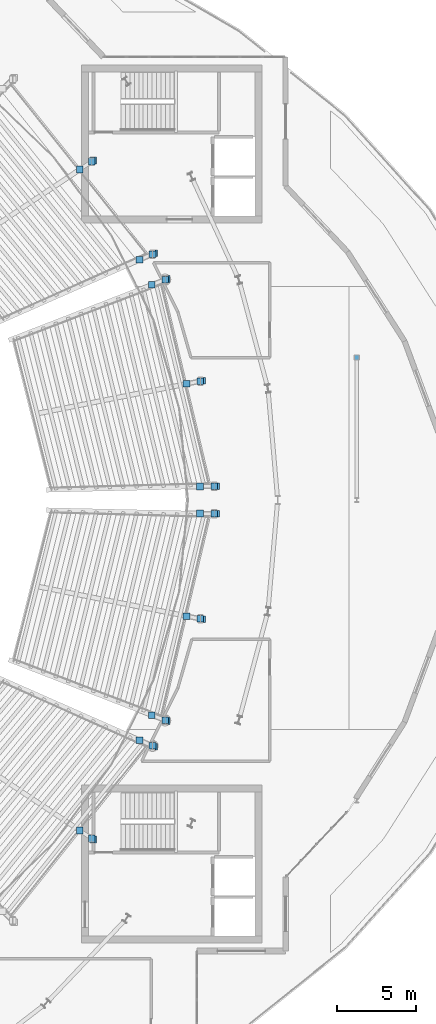
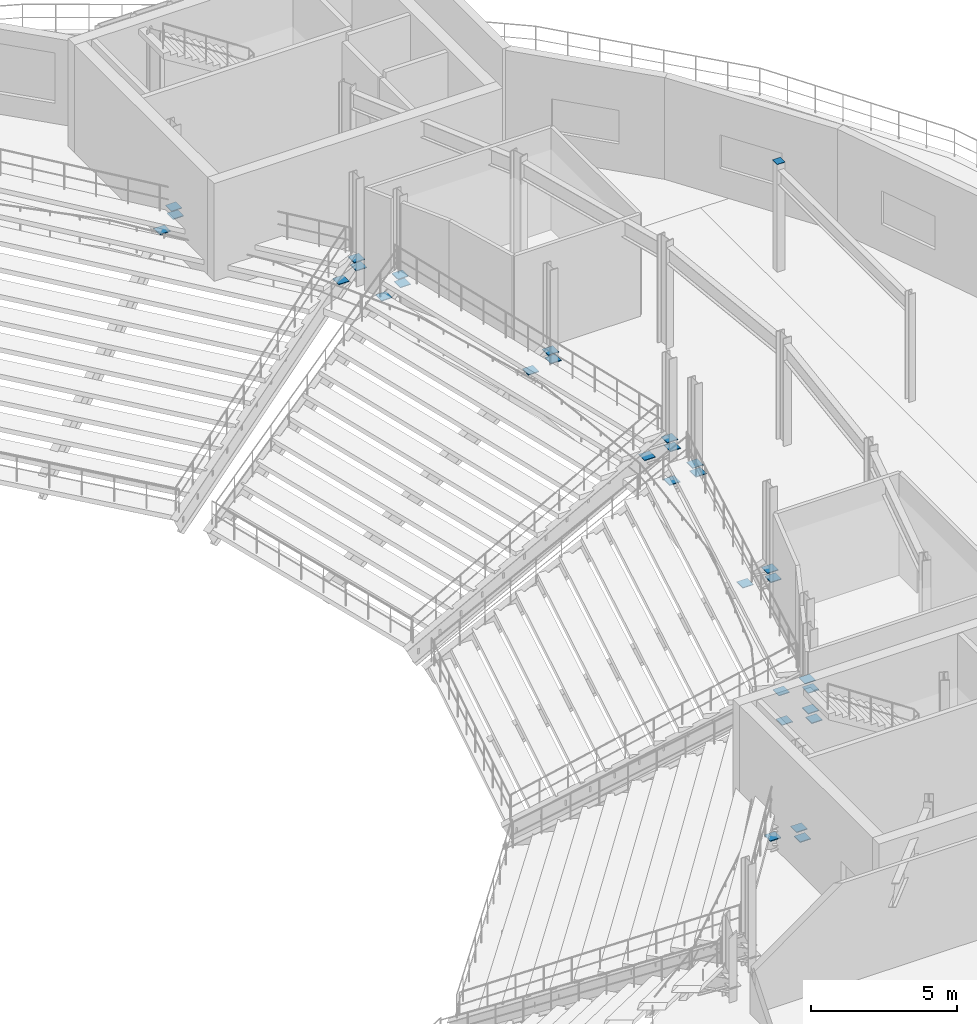
# One storey, part 70 of 81: 31 discrete accessories.
"""IFC4 building model written with IfcOpenShell, lengths in metres."""

from ifc_helpers import new_model, si_unit, direction, frame, origin, origin_2d, place, context, subcontext, project, spatial, rectangle, extrude, material, type_object, element, save


model = new_model("IFC4")

# Units and contexts
model_context = context("Model", 3, precision=1e-05, world=origin(), true_north=direction((0.0, 1.0)))
body_context = subcontext(model_context, "Body", "Model", "MODEL_VIEW")
ifc_project = project(units=[si_unit("LENGTHUNIT", "METRE"), si_unit("AREAUNIT", "SQUARE_METRE"), si_unit("VOLUMEUNIT", "CUBIC_METRE"), si_unit("PLANEANGLEUNIT", "RADIAN"), si_unit("MASSUNIT", "GRAM", prefix="KILO")], contexts=[model_context])

# Site, building, storey
site_placement = place(None, origin())
site = spatial("IfcSite", under=ifc_project, at=site_placement, CompositionType="ELEMENT")
building_placement = place(site_placement, origin())
building = spatial("IfcBuilding", under=site, at=building_placement, Name="Glasvene Arena", CompositionType="ELEMENT")
storey_placement = place(building_placement, frame((0.0, 0.0, 15.0)))
storey = spatial("IfcBuildingStorey", under=building, at=storey_placement, Name="L03", CompositionType="ELEMENT", Elevation=15.0)

# Discrete accessories
ifc_material = material(Name="Steel S355J2", Category="steel")
discrete_accessory_type_1 = type_object("IfcDiscreteAccessoryType", Name="ACC-BRACE-GP20", PredefinedType="BRACKET", material=ifc_material)
for number, where, z_axis, x_axis, name in (
    (1, (137.98828125, 73.87353515625, 0.994140625), (0.0, 0.0, 1.0), (1.0, 0.0, 0.0), "Cast-in raker and haunch embed plate 01-1-1"),
    (2, (137.08837890625, 73.85302734375, 0.5888671875), (0.0, 0.0, 1.0), (1.0, 0.0, 0.0), "Cast-in raker and haunch embed plate 01-1-2"),
    (3, (138.108154296875, 73.876220703125, 0.5888671875), (0.0, 0.0, 1.0), (1.0, 0.0, 0.0), "Cast-in raker and haunch embed plate 01-1-3"),
    (4, (137.1162109375, 80.510986328125, 0.93408203125), (0.0, 0.0, 1.0), (1.0, 0.0, 0.0), "Cast-in raker and haunch embed plate 01-2-1"),
    (5, (136.2333984375, 80.33544921875, 0.52880859375), (0.0, 0.0, 1.0), (1.0, 0.0, 0.0), "Cast-in raker and haunch embed plate 01-2-2"),
    (6, (137.23388671875, 80.534423828125, 0.52880859375), (0.0, 0.0, 1.0), (1.0, 0.0, 0.0), "Cast-in raker and haunch embed plate 01-2-3"),
    (7, (134.886962890625, 86.922607421875, 0.994140625), (0.0, 0.0, 1.0), (1.0, 0.0, 0.0), "Cast-in raker and haunch embed plate 01-3-1"),
    (8, (134.0478515625, 86.596923828125, 0.5888671875), (0.0, 0.0, 1.0), (1.0, 0.0, 0.0), "Cast-in raker and haunch embed plate 01-3-2"),
    (9, (134.998779296875, 86.9658203125, 0.5888671875), (0.0, 0.0, 1.0), (1.0, 0.0, 0.0), "Cast-in raker and haunch embed plate 01-3-3"),
    (10, (134.088134765625, 88.53662109375, 0.994140625), (0.0, 0.0, 1.0), (1.0, 0.0, 0.0), "Cast-in raker and haunch embed plate 02-1-1"),
    (11, (133.2646484375, 88.17333984375, 0.5888671875), (0.0, 0.0, 1.0), (1.0, 0.0, 0.0), "Cast-in raker and haunch embed plate 02-1-2"),
    (12, (134.197998046875, 88.5849609375, 0.5888671875), (0.0, 0.0, 1.0), (1.0, 0.0, 0.0), "Cast-in raker and haunch embed plate 02-1-3"),
    (13, (130.24755859375, 94.389404296875, 0.93408203125), (0.0, 0.0, 1.0), (1.0, 0.0, 0.0), "Cast-in raker and haunch embed plate 02-2-1"),
    (14, (129.499267578125, 93.889404296875, 0.52880859375), (0.0, 0.0, 1.0), (1.0, 0.0, 0.0), "Cast-in raker and haunch embed plate 02-2-2"),
    (15, (130.347412109375, 94.456298828125, 0.52880859375), (0.0, 0.0, 1.0), (1.0, 0.0, 0.0), "Cast-in raker and haunch embed plate 02-2-3"),
    (16, (130.24755859375, 51.610595703125, 0.93408203125), (0.0, 0.0, 1.0), (1.0, 0.0, 0.0), "Cast-in raker and haunch embed plate 15-2-1"),
    (17, (129.499267578125, 52.110595703125, 0.52880859375), (0.0, 0.0, 1.0), (1.0, 0.0, 0.0), "Cast-in raker and haunch embed plate 15-2-2"),
    (18, (130.347412109375, 51.543701171875, 0.52880859375), (0.0, 0.0, 1.0), (1.0, 0.0, 0.0), "Cast-in raker and haunch embed plate 15-2-3"),
    (19, (134.088134765625, 57.46337890625, 0.994140625), (0.0, 0.0, 1.0), (1.0, 0.0, 0.0), "Cast-in raker and haunch embed plate 15-3-1"),
    (20, (133.2646484375, 57.82666015625, 0.5888671875), (0.0, 0.0, 1.0), (1.0, 0.0, 0.0), "Cast-in raker and haunch embed plate 15-3-2"),
    (21, (134.197998046875, 57.4150390625, 0.5888671875), (0.0, 0.0, 1.0), (1.0, 0.0, 0.0), "Cast-in raker and haunch embed plate 15-3-3"),
    (22, (134.886962890625, 59.077392578125, 0.994140625), (0.0, 0.0, 1.0), (1.0, 0.0, 0.0), "Cast-in raker and haunch embed plate 16-1-1"),
    (23, (134.0478515625, 59.403076171875, 0.5888671875), (0.0, 0.0, 1.0), (1.0, 0.0, 0.0), "Cast-in raker and haunch embed plate 16-1-2"),
    (24, (134.998779296875, 59.0341796875, 0.5888671875), (0.0, 0.0, 1.0), (1.0, 0.0, 0.0), "Cast-in raker and haunch embed plate 16-1-3"),
    (25, (137.1162109375, 65.489013671875, 0.93408203125), (0.0, 0.0, 1.0), (1.0, 0.0, 0.0), "Cast-in raker and haunch embed plate 16-2-1"),
    (26, (136.2333984375, 65.66455078125, 0.52880859375), (0.0, 0.0, 1.0), (1.0, 0.0, 0.0), "Cast-in raker and haunch embed plate 16-2-2"),
    (27, (137.23388671875, 65.465576171875, 0.52880859375), (0.0, 0.0, 1.0), (1.0, 0.0, 0.0), "Cast-in raker and haunch embed plate 16-2-3"),
    (28, (137.98828125, 72.12646484375, 0.994140625), (0.0, 0.0, 1.0), (1.0, 0.0, 0.0), "Cast-in raker and haunch embed plate 16-3-1"),
    (29, (137.08837890625, 72.14697265625, 0.5888671875), (0.0, 0.0, 1.0), (1.0, 0.0, 0.0), "Cast-in raker and haunch embed plate 16-3-2"),
    (30, (138.108154296875, 72.123779296875, 0.5888671875), (0.0, 0.0, 1.0), (1.0, 0.0, 0.0), "Cast-in raker and haunch embed plate 16-3-3"),
):
    element("IfcDiscreteAccessory", number, at=place(storey_placement, frame(where, z_axis=z_axis, x_axis=x_axis)), inside=storey, type_object=discrete_accessory_type_1, Name=name, PredefinedType="BRACKET", context=body_context, shape_type="SweptSolid", body=[
        extrude(rectangle(XDim=0.419921875, YDim=0.419921875, at=origin_2d()), origin(), (0.0, 0.0, 1.0), 0.031982421875),
    ])
discrete_accessory_type_2 = type_object("IfcDiscreteAccessoryType", Name="ACC-CAP-SHS320", PredefinedType="USERDEFINED", material=ifc_material)
discrete_accessory_placement = place(storey_placement, frame((147.0, 82.0, 4.498046875), z_axis=(0.0, 0.0, 1.0), x_axis=(1.0, 0.0, 0.0)))
element("IfcDiscreteAccessory", 31, at=discrete_accessory_placement, inside=storey, type_object=discrete_accessory_type_2, Name="Hollow column top cap plate 17-10 L03", ObjectType="CAP PLATE", PredefinedType="USERDEFINED", context=body_context, shape_type="SweptSolid", body=[
    extrude(rectangle(XDim=0.320068359375, YDim=0.320068359375, at=origin_2d()), origin(), (0.0, 0.0, 1.0), 0.02001953125),
])

save(model, "model.ifc")
